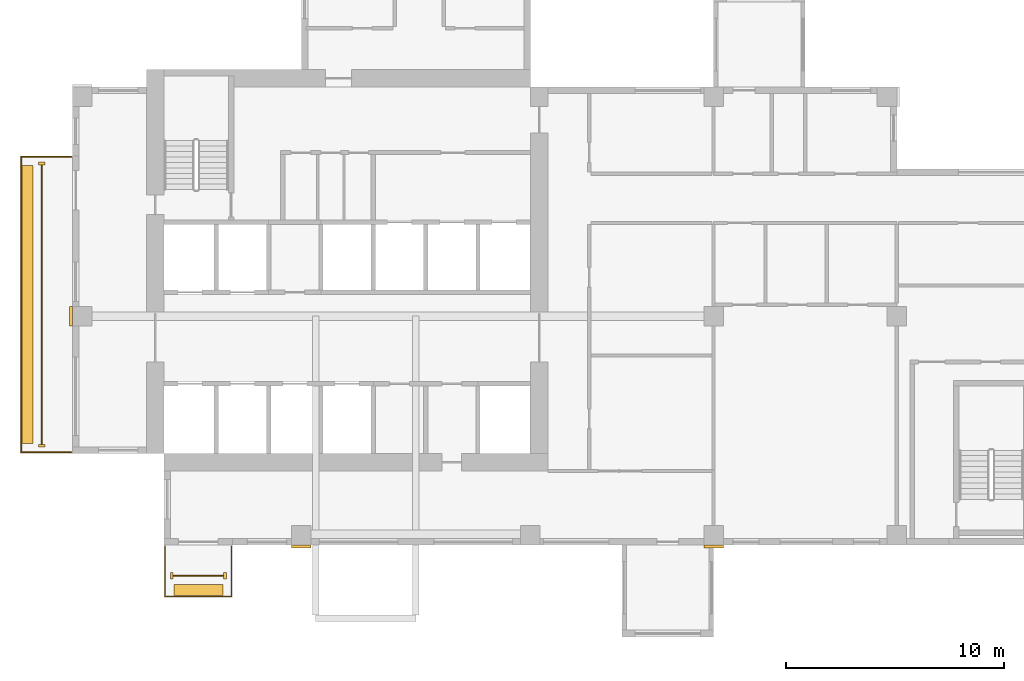
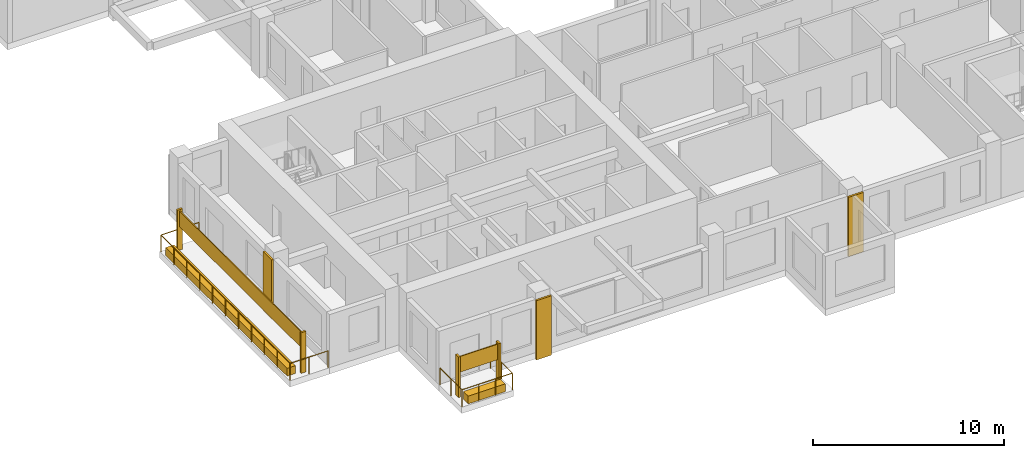
# One storey, part 10 of 13: 11 coverings, 2 railings.
"""IFC4 building model written with IfcOpenShell, lengths in metres."""

from ifc_helpers import new_model, si_unit, direction, frame, origin, origin_2d, place, context, subcontext, project, spatial, rectangle, circle, extrude, source, transform, mapped, material, type_object, element, save


model = new_model("IFC4")

# Units and contexts
model_context = context("Model", 3, precision=1e-05, world=origin(), true_north=direction((0.0, 1.0)))
body_context = subcontext(model_context, "Body", "Model", "MODEL_VIEW")
ifc_project = project(units=[si_unit("LENGTHUNIT", "METRE"), si_unit("AREAUNIT", "SQUARE_METRE"), si_unit("VOLUMEUNIT", "CUBIC_METRE"), si_unit("PLANEANGLEUNIT", "RADIAN"), si_unit("MASSUNIT", "GRAM", prefix="KILO")], contexts=[model_context])

# Site, building, storey
site_placement = place(None, origin())
site = spatial("IfcSite", under=ifc_project, at=site_placement, CompositionType="ELEMENT")
building_placement = place(site_placement, origin())
building = spatial("IfcBuilding", under=site, at=building_placement, Name="Aurelian Terraces", CompositionType="ELEMENT")
storey_placement = place(building_placement, frame((0.0, 0.0, 193.0)))
storey = spatial("IfcBuildingStorey", under=building, at=storey_placement, Name="L42", CompositionType="ELEMENT", Elevation=193.0)

# Coverings
ifc_material_1 = material(Name="Terracotta rainscreen cladding relief", Category="masonry")
covering_type_1 = type_object("IfcCoveringType", Name="FIN-TC", PredefinedType="CLADDING", material=ifc_material_1)
shared_shape_1 = source(origin(), body_context, "Body", "SweptSolid", [
    extrude(rectangle(XDim=0.3, YDim=0.12, at=origin_2d()), origin(), (0.0, 0.0, 1.0), 2.6),
])
for number, where, z_axis, x_axis, name in (
    (1, (-1.4, 17.5, 0.0), (0.0, 0.0, 1.0), (1.0, 0.0, 0.0), "FIN L42 L42-F22-39.1"),
    (2, (-1.4, 4.55, 0.0), (0.0, 0.0, 1.0), (1.0, 0.0, 0.0), "FIN L42 L42-F22-39.2"),
):
    element("IfcCovering", number, at=place(storey_placement, frame(where, z_axis=z_axis, x_axis=x_axis)), inside=storey, type_object=covering_type_1, Name=name, PredefinedType="CLADDING", context=body_context, shape_type="MappedRepresentation", body=[
        mapped(shared_shape_1, transform((0.0, 0.0, 0.0), scale=1.0)),
    ])
shared_shape_2 = source(origin(), body_context, "Body", "SweptSolid", [
    extrude(rectangle(XDim=0.12, YDim=0.3, at=origin_2d()), origin(), (0.0, 0.0, 1.0), 2.6),
])
for number, where, z_axis, x_axis, name in (
    (3, (4.55, -1.4, 0.0), (0.0, 0.0, 1.0), (1.0, 0.0, 0.0), "FIN L42 L42-F01-01.1"),
    (4, (7.0, -1.4, 0.0), (0.0, 0.0, 1.0), (1.0, 0.0, 0.0), "FIN L42 L42-F01-01.2"),
):
    element("IfcCovering", number, at=place(storey_placement, frame(where, z_axis=z_axis, x_axis=x_axis)), inside=storey, type_object=covering_type_1, Name=name, PredefinedType="CLADDING", context=body_context, shape_type="MappedRepresentation", body=[
        mapped(shared_shape_2, transform((0.0, 0.0, 0.0), scale=1.0)),
    ])

# Railing
ifc_material_2 = material(Name="Anodised aluminium", Category="aluminium")
railing_type = type_object("IfcRailingType", Name="GUARD-1100", PredefinedType="GUARDRAIL", material=ifc_material_2)
shared_shape_3 = source(origin(), body_context, "Body", "SweptSolid", [
    extrude(circle(Radius=0.024, at=origin_2d()), frame((0.0, 0.0, 1.076), z_axis=(-1.0, 0.0, 0.0), x_axis=(0.0, -1.0, 0.0)), (0.0, 0.0, 1.0), 2.3),
    extrude(circle(Radius=0.024, at=origin_2d()), frame((-2.3, 0.0, 1.076), z_axis=(0.0, -1.0, 0.0), x_axis=(1.0, 0.0, 0.0)), (0.0, 0.0, 1.0), 13.55),
    extrude(circle(Radius=0.024, at=origin_2d()), frame((-2.3, -13.55, 1.076), z_axis=(1.0, 0.0, 0.0), x_axis=(0.0, 1.0, 0.0)), (0.0, 0.0, 1.0), 2.3),
    extrude(circle(Radius=0.021, at=origin_2d()), origin(), (0.0, 0.0, 1.0), 1.052),
    extrude(circle(Radius=0.021, at=origin_2d()), frame((-1.15, 0.0, 0.0)), (0.0, 0.0, 1.0), 1.052),
    extrude(circle(Radius=0.021, at=origin_2d()), frame((-2.3, 0.0, 0.0)), (0.0, 0.0, 1.0), 1.052),
    extrude(circle(Radius=0.021, at=origin_2d()), frame((-2.3, -1.355, 0.0)), (0.0, 0.0, 1.0), 1.052),
    extrude(circle(Radius=0.021, at=origin_2d()), frame((-2.3, -2.71, 0.0)), (0.0, 0.0, 1.0), 1.052),
    extrude(circle(Radius=0.021, at=origin_2d()), frame((-2.3, -4.065, 0.0)), (0.0, 0.0, 1.0), 1.052),
    extrude(circle(Radius=0.021, at=origin_2d()), frame((-2.3, -5.42, 0.0)), (0.0, 0.0, 1.0), 1.052),
    extrude(circle(Radius=0.021, at=origin_2d()), frame((-2.3, -6.775, 0.0)), (0.0, 0.0, 1.0), 1.052),
    extrude(circle(Radius=0.021, at=origin_2d()), frame((-2.3, -8.13, 0.0)), (0.0, 0.0, 1.0), 1.052),
    extrude(circle(Radius=0.021, at=origin_2d()), frame((-2.3, -9.485, 0.0)), (0.0, 0.0, 1.0), 1.052),
    extrude(circle(Radius=0.021, at=origin_2d()), frame((-2.3, -10.84, 0.0)), (0.0, 0.0, 1.0), 1.052),
    extrude(circle(Radius=0.021, at=origin_2d()), frame((-2.3, -12.195, 0.0)), (0.0, 0.0, 1.0), 1.052),
    extrude(circle(Radius=0.021, at=origin_2d()), frame((-2.3, -13.55, 0.0)), (0.0, 0.0, 1.0), 1.052),
    extrude(circle(Radius=0.021, at=origin_2d()), frame((-1.15, -13.55, 0.0)), (0.0, 0.0, 1.0), 1.052),
    extrude(circle(Radius=0.021, at=origin_2d()), frame((0.0, -13.55, 0.0)), (0.0, 0.0, 1.0), 1.052),
])
railing_1_placement = place(storey_placement, frame((-0.05, 17.8, 0.0)))
element("IfcRailing", 5, at=railing_1_placement, inside=storey, type_object=railing_type, Name="Balcony guard L42 F22.39", PredefinedType="GUARDRAIL", context=body_context, shape_type="MappedRepresentation", body=[
    mapped(shared_shape_3, transform((0.0, 0.0, 0.0), scale=1.0)),
])

# Coverings
ifc_material_3 = material(Name="Terracotta planter with planting soil", Category="masonry")
covering_type_2 = type_object("IfcCoveringType", Name="PLANTER-TROUGH", PredefinedType="USERDEFINED", material=ifc_material_3)
shared_shape_4 = source(origin(), body_context, "Body", "SweptSolid", [
    extrude(rectangle(XDim=0.5, YDim=12.75, at=origin_2d()), origin(), (0.0, 0.0, 1.0), 0.5),
])
covering_1_placement = place(storey_placement, frame((-2.05, 11.025, 0.0), z_axis=(0.0, 0.0, 1.0), x_axis=(1.0, 0.0, 0.0)))
element("IfcCovering", 6, at=covering_1_placement, inside=storey, type_object=covering_type_2, Name="PLANTER L42 L42-F22-39", ObjectType="PLANTER", PredefinedType="USERDEFINED", context=body_context, shape_type="MappedRepresentation", body=[
    mapped(shared_shape_4, transform((0.0, 0.0, 0.0), scale=1.0)),
])
ifc_material_4 = material(Name="Terracotta rainscreen cladding", Category="masonry")
covering_type_3 = type_object("IfcCoveringType", Name="SCREEN-TC", PredefinedType="CLADDING", material=ifc_material_4)
shared_shape_5 = source(origin(), body_context, "Body", "SweptSolid", [
    extrude(rectangle(XDim=0.06, YDim=12.83, at=origin_2d()), origin(), (0.0, 0.0, 1.0), 1.0),
])
covering_2_placement = place(storey_placement, frame((-1.4, 11.025, 1.5), z_axis=(0.0, 0.0, 1.0), x_axis=(1.0, 0.0, 0.0)))
element("IfcCovering", 7, at=covering_2_placement, inside=storey, type_object=covering_type_3, Name="SCREEN L42 L42-F22-39", PredefinedType="CLADDING", context=body_context, shape_type="MappedRepresentation", body=[
    mapped(shared_shape_5, transform((0.0, 0.0, 0.0), scale=1.0)),
])
covering_type_4 = type_object("IfcCoveringType", Name="BAGUETTE-TC", PredefinedType="CLADDING", material=ifc_material_1)
shared_shape_6 = source(origin(), body_context, "Body", "SweptSolid", [
    extrude(rectangle(XDim=0.9, YDim=0.12, at=origin_2d()), origin(), (0.0, 0.0, 1.0), 3.8),
])
for number, where, z_axis, x_axis, name in (
    (8, (10.5, -0.06, -0.4), (0.0, 0.0, 1.0), (1.0, 0.0, 0.0), "BAGUETTE pier L42 1"),
    (9, (29.4, -0.06, -0.4), (0.0, 0.0, 1.0), (1.0, 0.0, 0.0), "BAGUETTE pier L42 2"),
):
    element("IfcCovering", number, at=place(storey_placement, frame(where, z_axis=z_axis, x_axis=x_axis)), inside=storey, type_object=covering_type_4, Name=name, PredefinedType="CLADDING", context=body_context, shape_type="MappedRepresentation", body=[
        mapped(shared_shape_6, transform((0.0, 0.0, 0.0), scale=1.0)),
    ])
shared_shape_7 = source(origin(), body_context, "Body", "SweptSolid", [
    extrude(rectangle(XDim=0.12, YDim=0.9, at=origin_2d()), origin(), (0.0, 0.0, 1.0), 3.8),
])
covering_3_placement = place(storey_placement, frame((-0.06, 10.5, -0.4), z_axis=(0.0, 0.0, 1.0), x_axis=(1.0, 0.0, 0.0)))
element("IfcCovering", 10, at=covering_3_placement, inside=storey, type_object=covering_type_4, Name="BAGUETTE pier L42 4", PredefinedType="CLADDING", context=body_context, shape_type="MappedRepresentation", body=[
    mapped(shared_shape_7, transform((0.0, 0.0, 0.0), scale=1.0)),
])

# Railing
shared_shape_8 = source(origin(), body_context, "Body", "SweptSolid", [
    extrude(circle(Radius=0.024, at=origin_2d()), frame((0.0, 0.0, 1.076), z_axis=(0.0, -1.0, 0.0), x_axis=(1.0, 0.0, 0.0)), (0.0, 0.0, 1.0), 2.3),
    extrude(circle(Radius=0.024, at=origin_2d()), frame((0.0, -2.3, 1.076), z_axis=(1.0, 0.0, 0.0), x_axis=(0.0, 1.0, 0.0)), (0.0, 0.0, 1.0), 3.05),
    extrude(circle(Radius=0.024, at=origin_2d()), frame((3.05, -2.3, 1.076), z_axis=(0.0, 1.0, 0.0), x_axis=(-1.0, 0.0, 0.0)), (0.0, 0.0, 1.0), 2.3),
    extrude(circle(Radius=0.021, at=origin_2d()), origin(), (0.0, 0.0, 1.0), 1.052),
    extrude(circle(Radius=0.021, at=origin_2d()), frame((0.0, -1.15, 0.0)), (0.0, 0.0, 1.0), 1.052),
    extrude(circle(Radius=0.021, at=origin_2d()), frame((0.0, -2.3, 0.0)), (0.0, 0.0, 1.0), 1.052),
    extrude(circle(Radius=0.021, at=origin_2d()), frame((1.0167, -2.3, 0.0)), (0.0, 0.0, 1.0), 1.052),
    extrude(circle(Radius=0.021, at=origin_2d()), frame((2.0333, -2.3, 0.0)), (0.0, 0.0, 1.0), 1.052),
    extrude(circle(Radius=0.021, at=origin_2d()), frame((3.05, -2.3, 0.0)), (0.0, 0.0, 1.0), 1.052),
    extrude(circle(Radius=0.021, at=origin_2d()), frame((3.05, -1.15, 0.0)), (0.0, 0.0, 1.0), 1.052),
    extrude(circle(Radius=0.021, at=origin_2d()), frame((3.05, 0.0, 0.0)), (0.0, 0.0, 1.0), 1.052),
])
railing_2_placement = place(storey_placement, frame((4.25, -0.05, 0.0)))
element("IfcRailing", 11, at=railing_2_placement, inside=storey, type_object=railing_type, Name="Balcony guard L42 F01.1", PredefinedType="GUARDRAIL", context=body_context, shape_type="MappedRepresentation", body=[
    mapped(shared_shape_8, transform((0.0, 0.0, 0.0), scale=1.0)),
])

# Coverings
shared_shape_9 = source(origin(), body_context, "Body", "SweptSolid", [
    extrude(rectangle(XDim=2.25, YDim=0.5, at=origin_2d()), origin(), (0.0, 0.0, 1.0), 0.5),
])
covering_4_placement = place(storey_placement, frame((5.775, -2.05, 0.0), z_axis=(0.0, 0.0, 1.0), x_axis=(1.0, 0.0, 0.0)))
element("IfcCovering", 12, at=covering_4_placement, inside=storey, type_object=covering_type_2, Name="PLANTER L42 L42-F01-01", ObjectType="PLANTER", PredefinedType="USERDEFINED", context=body_context, shape_type="MappedRepresentation", body=[
    mapped(shared_shape_9, transform((0.0, 0.0, 0.0), scale=1.0)),
])
shared_shape_10 = source(origin(), body_context, "Body", "SweptSolid", [
    extrude(rectangle(XDim=2.33, YDim=0.06, at=origin_2d()), origin(), (0.0, 0.0, 1.0), 1.0),
])
covering_5_placement = place(storey_placement, frame((5.775, -1.4, 1.5), z_axis=(0.0, 0.0, 1.0), x_axis=(1.0, 0.0, 0.0)))
element("IfcCovering", 13, at=covering_5_placement, inside=storey, type_object=covering_type_3, Name="SCREEN L42 L42-F01-01", PredefinedType="CLADDING", context=body_context, shape_type="MappedRepresentation", body=[
    mapped(shared_shape_10, transform((0.0, 0.0, 0.0), scale=1.0)),
])

save(model, "model.ifc")
